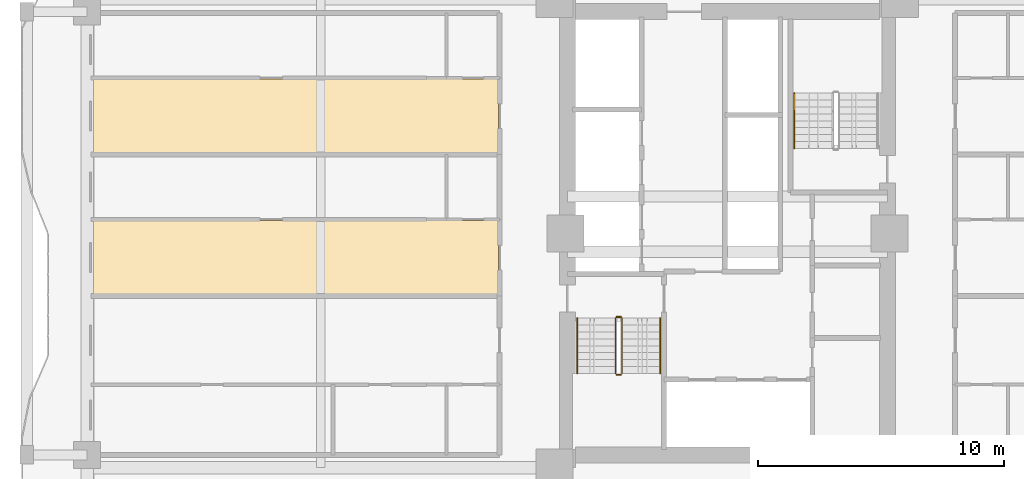
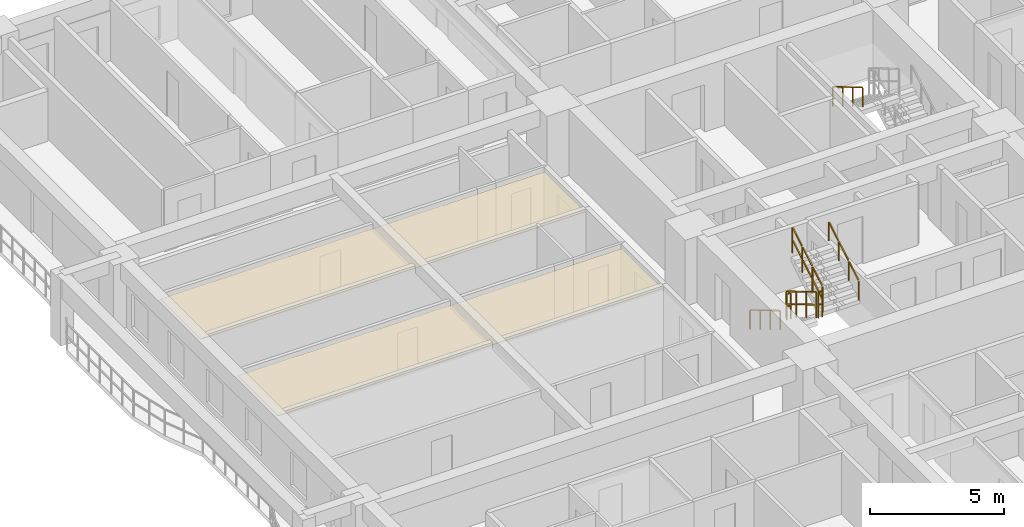
# One storey, part 13 of 16: 7 railings, 2 coverings.
"""IFC4 building model written with IfcOpenShell, lengths in metres."""

from ifc_helpers import new_model, si_unit, direction, frame, origin, origin_2d, place, context, subcontext, project, spatial, polyline, rectangle, outline, extrude, material, layer, layer_set, type_object, element, save


model = new_model("IFC4")

# Units and contexts
model_context = context("Model", 3, precision=1e-05, world=origin(), true_north=direction((0.0, 1.0)))
body_context = subcontext(model_context, "Body", "Model", "MODEL_VIEW")
ifc_project = project(units=[si_unit("LENGTHUNIT", "METRE"), si_unit("AREAUNIT", "SQUARE_METRE"), si_unit("VOLUMEUNIT", "CUBIC_METRE"), si_unit("PLANEANGLEUNIT", "RADIAN"), si_unit("MASSUNIT", "GRAM", prefix="KILO")], contexts=[model_context])

# Site, building, storey
site_placement = place(None, origin())
site = spatial("IfcSite", under=ifc_project, at=site_placement, CompositionType="ELEMENT")
building_placement = place(site_placement, origin())
building = spatial("IfcBuilding", under=site, at=building_placement, Name="Saelheon Loggia Tower", CompositionType="ELEMENT")
storey_placement = place(building_placement, frame((0.0, 0.0, 55.39990234375)))
storey = spatial("IfcBuildingStorey", under=building, at=storey_placement, Name="L17", CompositionType="ELEMENT", Elevation=55.39990234375)

# Coverings
ifc_material_1 = material(Name="Mineral-Fibre Acoustic Ceiling Board", Category="gypsum")
ifc_layer = layer(ifc_material_1, 0.02490234375)
ifc_layer_set = layer_set([ifc_layer], Name="Mineral-Fibre Acoustic Ceiling Board")
covering_type = type_object("IfcCoveringType", Name="Cov_Ceiling_Acoustic", PredefinedType="CEILING", material=ifc_layer_set)
covering_1_placement = place(storey_placement, frame((0.0, 0.0, 2.53515625)))
element("IfcCovering", 1, at=covering_1_placement, inside=storey, type_object=covering_type, Name="L17 Acoustic Suspended Ceiling", PredefinedType="CEILING", context=body_context, shape_type="SweptSolid", body=[
    extrude(outline(polyline([(12.199951171875, 24.511962890625), (28.699951171875, 24.511962890625), (28.699951171875, 27.513916015625), (12.199951171875, 27.513916015625), (12.199951171875, 24.511962890625)])), origin(), (0.0, 0.0, 1.0), 0.02490234375),
])
covering_2_placement = place(storey_placement, frame((0.0, 0.0, 2.53515625)))
element("IfcCovering", 2, at=covering_2_placement, inside=storey, type_object=covering_type, Name="L17 Acoustic Suspended Ceiling", PredefinedType="CEILING", context=body_context, shape_type="SweptSolid", body=[
    extrude(outline(polyline([(12.199951171875, 30.256103515625), (28.699951171875, 30.256103515625), (28.699951171875, 33.2578125), (12.199951171875, 33.2578125), (12.199951171875, 30.256103515625)])), origin(), (0.0, 0.0, 1.0), 0.02490234375),
])

# Railings
ifc_material_2 = material(Name="Galvanised Steel S275 Stairwell Guardrail", Category="steel")
railing_type_1 = type_object("IfcRailingType", Name="Guard_StairWell_RL_STG", PredefinedType="GUARDRAIL", material=ifc_material_2)
railing_1_placement = place(storey_placement, frame((33.4599609375, 23.550048828125, 0.166748046875)))
element("IfcRailing", 3, at=railing_1_placement, inside=storey, type_object=railing_type_1, Name="L17 ST1 stair guard 1", PredefinedType="GUARDRAIL", context=body_context, shape_type="SweptSolid", body=[
    extrude(rectangle(XDim=0.048095703125, YDim=0.048095703125, at=origin_2d()), frame((0.0, -0.028564453125, 1.19287109375), z_axis=(0.0, -0.859305625298, 0.511462454469), x_axis=(1.0, 0.0, 0.0)), (0.0, 0.0, 1.0), 0.802490234375),
    extrude(rectangle(XDim=0.048095703125, YDim=0.048095703125, at=origin_2d()), frame((0.0, -0.028564453125, 0.616943359375), z_axis=(0.0, -0.859305625298, 0.511462454469), x_axis=(1.0, 0.0, 0.0)), (0.0, 0.0, 1.0), 0.802490234375),
    extrude(rectangle(XDim=0.048095703125, YDim=0.048095703125, at=origin_2d()), frame((0.0, -0.775146484375, 1.63720703125), z_axis=(0.0, -0.859305625298, 0.511462454469), x_axis=(1.0, 0.0, 0.0)), (0.0, 0.0, 1.0), 0.802490234375),
    extrude(rectangle(XDim=0.048095703125, YDim=0.048095703125, at=origin_2d()), frame((0.0, -0.775146484375, 1.061279296875), z_axis=(0.0, -0.859305625298, 0.511462454469), x_axis=(1.0, 0.0, 0.0)), (0.0, 0.0, 1.0), 0.802490234375),
    extrude(rectangle(XDim=0.048095703125, YDim=0.048095703125, at=origin_2d()), frame((0.0, -1.52197265625, 2.081787109375), z_axis=(0.0, -0.859305625298, 0.511462454469), x_axis=(1.0, 0.0, 0.0)), (0.0, 0.0, 1.0), 0.802490234375),
    extrude(rectangle(XDim=0.048095703125, YDim=0.048095703125, at=origin_2d()), frame((0.0, -1.52197265625, 1.505859375), z_axis=(0.0, -0.859305625298, 0.511462454469), x_axis=(1.0, 0.0, 0.0)), (0.0, 0.0, 1.0), 0.802490234375),
    extrude(rectangle(XDim=0.0419921875, YDim=0.0419921875, at=origin_2d()), origin(), (0.0, 0.0, 1.0), 1.14794921875),
    extrude(rectangle(XDim=0.0419921875, YDim=0.0419921875, at=origin_2d()), frame((0.0, -0.74658203125, 0.4443359375)), (0.0, 0.0, 1.0), 1.14794921875),
    extrude(rectangle(XDim=0.0419921875, YDim=0.0419921875, at=origin_2d()), frame((0.0, -1.493408203125, 0.888916015625)), (0.0, 0.0, 1.0), 1.14794921875),
    extrude(rectangle(XDim=0.0419921875, YDim=0.0419921875, at=origin_2d()), frame((0.0, -2.239990234375, 1.333251953125)), (0.0, 0.0, 1.0), 1.14794921875),
])
railing_2_placement = place(storey_placement, frame((33.510009765625, 21.260009765625, 1.5)))
element("IfcRailing", 4, at=railing_2_placement, inside=storey, type_object=railing_type_1, Name="L17 ST1 stair guard 2", PredefinedType="GUARDRAIL", context=body_context, shape_type="SweptSolid", body=[
    extrude(rectangle(XDim=0.048095703125, YDim=0.048095703125, at=origin_2d()), frame((0.033203125, 0.0, 1.17578125), z_axis=(1.0, 0.0, 0.0), x_axis=(0.0, 1.0, 0.0)), (0.0, 0.0, 1.0), 0.093505859375),
    extrude(rectangle(XDim=0.048095703125, YDim=0.048095703125, at=origin_2d()), frame((0.033203125, 0.0, 0.60009765625), z_axis=(1.0, 0.0, 0.0), x_axis=(0.0, 1.0, 0.0)), (0.0, 0.0, 1.0), 0.093505859375),
    extrude(rectangle(XDim=0.0419921875, YDim=0.0419921875, at=origin_2d()), origin(), (0.0, 0.0, 1.0), 1.14794921875),
    extrude(rectangle(XDim=0.0419921875, YDim=0.0419921875, at=origin_2d()), frame((0.159912109375, 0.0, 0.0)), (0.0, 0.0, 1.0), 1.14794921875),
])
railing_3_placement = place(storey_placement, frame((33.719970703125, 21.31005859375, 1.666748046875)))
element("IfcRailing", 5, at=railing_3_placement, inside=storey, type_object=railing_type_1, Name="L17 ST1 stair guard 3", PredefinedType="GUARDRAIL", context=body_context, shape_type="SweptSolid", body=[
    extrude(rectangle(XDim=0.048095703125, YDim=0.048095703125, at=origin_2d()), frame((0.0, 0.028564453125, 1.19287109375), z_axis=(0.0, 0.859305625298, 0.511462454469), x_axis=(-1.0, 0.0, 0.0)), (0.0, 0.0, 1.0), 0.802490234375),
    extrude(rectangle(XDim=0.048095703125, YDim=0.048095703125, at=origin_2d()), frame((0.0, 0.028564453125, 0.616943359375), z_axis=(0.0, 0.859305625298, 0.511462454469), x_axis=(-1.0, 0.0, 0.0)), (0.0, 0.0, 1.0), 0.802490234375),
    extrude(rectangle(XDim=0.048095703125, YDim=0.048095703125, at=origin_2d()), frame((0.0, 0.775146484375, 1.63720703125), z_axis=(0.0, 0.859305625298, 0.511462454469), x_axis=(-1.0, 0.0, 0.0)), (0.0, 0.0, 1.0), 0.802490234375),
    extrude(rectangle(XDim=0.048095703125, YDim=0.048095703125, at=origin_2d()), frame((0.0, 0.775146484375, 1.061279296875), z_axis=(0.0, 0.859305625298, 0.511462454469), x_axis=(-1.0, 0.0, 0.0)), (0.0, 0.0, 1.0), 0.802490234375),
    extrude(rectangle(XDim=0.048095703125, YDim=0.048095703125, at=origin_2d()), frame((0.0, 1.52197265625, 2.081787109375), z_axis=(0.0, 0.859305625298, 0.511462454469), x_axis=(-1.0, 0.0, 0.0)), (0.0, 0.0, 1.0), 0.802490234375),
    extrude(rectangle(XDim=0.048095703125, YDim=0.048095703125, at=origin_2d()), frame((0.0, 1.52197265625, 1.505859375), z_axis=(0.0, 0.859305625298, 0.511462454469), x_axis=(-1.0, 0.0, 0.0)), (0.0, 0.0, 1.0), 0.802490234375),
    extrude(rectangle(XDim=0.0419921875, YDim=0.0419921875, at=origin_2d()), origin(), (0.0, 0.0, 1.0), 1.14794921875),
    extrude(rectangle(XDim=0.0419921875, YDim=0.0419921875, at=origin_2d()), frame((0.0, 0.74658203125, 0.4443359375)), (0.0, 0.0, 1.0), 1.14794921875),
    extrude(rectangle(XDim=0.0419921875, YDim=0.0419921875, at=origin_2d()), frame((0.0, 1.493408203125, 0.888916015625)), (0.0, 0.0, 1.0), 1.14794921875),
    extrude(rectangle(XDim=0.0419921875, YDim=0.0419921875, at=origin_2d()), frame((0.0, 2.239990234375, 1.333251953125)), (0.0, 0.0, 1.0), 1.14794921875),
])
railing_4_placement = place(storey_placement, frame((33.510009765625, 23.60009765625, 0.0)))
element("IfcRailing", 6, at=railing_4_placement, inside=storey, type_object=railing_type_1, Name="L17 ST1 stair guard 4", PredefinedType="GUARDRAIL", context=body_context, shape_type="SweptSolid", body=[
    extrude(rectangle(XDim=0.048095703125, YDim=0.048095703125, at=origin_2d()), frame((0.033203125, 0.0, 1.17578125), z_axis=(1.0, 0.0, 0.0), x_axis=(0.0, 1.0, 0.0)), (0.0, 0.0, 1.0), 0.093505859375),
    extrude(rectangle(XDim=0.048095703125, YDim=0.048095703125, at=origin_2d()), frame((0.033203125, 0.0, 0.60009765625), z_axis=(1.0, 0.0, 0.0), x_axis=(0.0, 1.0, 0.0)), (0.0, 0.0, 1.0), 0.093505859375),
    extrude(rectangle(XDim=0.0419921875, YDim=0.0419921875, at=origin_2d()), origin(), (0.0, 0.0, 1.0), 1.14794921875),
    extrude(rectangle(XDim=0.0419921875, YDim=0.0419921875, at=origin_2d()), frame((0.159912109375, 0.0, 0.0)), (0.0, 0.0, 1.0), 1.14794921875),
])
ifc_material_3 = material(Name="Stainless Steel 304 Tubular Handrail", Category="steel")
railing_type_2 = type_object("IfcRailingType", Name="Handrail_Stair_RL_HR1", PredefinedType="HANDRAIL", material=ifc_material_3)
railing_5_placement = place(storey_placement, frame((31.89990234375, 23.550048828125, 0.166748046875)))
element("IfcRailing", 7, at=railing_5_placement, inside=storey, type_object=railing_type_2, Name="L17 ST1 stair handrail 1", PredefinedType="HANDRAIL", context=body_context, shape_type="SweptSolid", body=[
    extrude(rectangle(XDim=0.048095703125, YDim=0.048095703125, at=origin_2d()), frame((0.0, -0.028564453125, 0.892822265625), z_axis=(0.0, -0.859305625298, 0.511462454469), x_axis=(1.0, 0.0, 0.0)), (0.0, 0.0, 1.0), 0.802490234375),
    extrude(rectangle(XDim=0.048095703125, YDim=0.048095703125, at=origin_2d()), frame((0.0, -0.775146484375, 1.337158203125), z_axis=(0.0, -0.859305625298, 0.511462454469), x_axis=(1.0, 0.0, 0.0)), (0.0, 0.0, 1.0), 0.802490234375),
    extrude(rectangle(XDim=0.048095703125, YDim=0.048095703125, at=origin_2d()), frame((0.0, -1.52197265625, 1.78173828125), z_axis=(0.0, -0.859305625298, 0.511462454469), x_axis=(1.0, 0.0, 0.0)), (0.0, 0.0, 1.0), 0.802490234375),
    extrude(rectangle(XDim=0.0419921875, YDim=0.0419921875, at=origin_2d()), origin(), (0.0, 0.0, 1.0), 0.847900390625),
    extrude(rectangle(XDim=0.0419921875, YDim=0.0419921875, at=origin_2d()), frame((0.0, -0.74658203125, 0.4443359375)), (0.0, 0.0, 1.0), 0.847900390625),
    extrude(rectangle(XDim=0.0419921875, YDim=0.0419921875, at=origin_2d()), frame((0.0, -1.493408203125, 0.888916015625)), (0.0, 0.0, 1.0), 0.847900390625),
    extrude(rectangle(XDim=0.0419921875, YDim=0.0419921875, at=origin_2d()), frame((0.0, -2.239990234375, 1.333251953125)), (0.0, 0.0, 1.0), 0.847900390625),
])
railing_6_placement = place(storey_placement, frame((35.280029296875, 21.31005859375, 1.666748046875)))
element("IfcRailing", 8, at=railing_6_placement, inside=storey, type_object=railing_type_2, Name="L17 ST1 stair handrail 2", PredefinedType="HANDRAIL", context=body_context, shape_type="SweptSolid", body=[
    extrude(rectangle(XDim=0.048095703125, YDim=0.048095703125, at=origin_2d()), frame((0.0, 0.028564453125, 0.892822265625), z_axis=(0.0, 0.859305625298, 0.511462454469), x_axis=(-1.0, 0.0, 0.0)), (0.0, 0.0, 1.0), 0.802490234375),
    extrude(rectangle(XDim=0.048095703125, YDim=0.048095703125, at=origin_2d()), frame((0.0, 0.775146484375, 1.337158203125), z_axis=(0.0, 0.859305625298, 0.511462454469), x_axis=(-1.0, 0.0, 0.0)), (0.0, 0.0, 1.0), 0.802490234375),
    extrude(rectangle(XDim=0.048095703125, YDim=0.048095703125, at=origin_2d()), frame((0.0, 1.52197265625, 1.78173828125), z_axis=(0.0, 0.859305625298, 0.511462454469), x_axis=(-1.0, 0.0, 0.0)), (0.0, 0.0, 1.0), 0.802490234375),
    extrude(rectangle(XDim=0.0419921875, YDim=0.0419921875, at=origin_2d()), origin(), (0.0, 0.0, 1.0), 0.847900390625),
    extrude(rectangle(XDim=0.0419921875, YDim=0.0419921875, at=origin_2d()), frame((0.0, 0.74658203125, 0.4443359375)), (0.0, 0.0, 1.0), 0.847900390625),
    extrude(rectangle(XDim=0.0419921875, YDim=0.0419921875, at=origin_2d()), frame((0.0, 1.493408203125, 0.888916015625)), (0.0, 0.0, 1.0), 0.847900390625),
    extrude(rectangle(XDim=0.0419921875, YDim=0.0419921875, at=origin_2d()), frame((0.0, 2.239990234375, 1.333251953125)), (0.0, 0.0, 1.0), 0.847900390625),
])
railing_7_placement = place(storey_placement, frame((40.719970703125, 32.68994140625, 1.666748046875)))
element("IfcRailing", 9, at=railing_7_placement, inside=storey, type_object=railing_type_2, Name="L17 ST2 stair handrail 2", PredefinedType="HANDRAIL", context=body_context, shape_type="SweptSolid", body=[
    extrude(rectangle(XDim=0.048095703125, YDim=0.048095703125, at=origin_2d()), frame((0.0, -0.028564453125, 0.892822265625), z_axis=(0.0, -0.859305625298, 0.511462454469), x_axis=(1.0, 0.0, 0.0)), (0.0, 0.0, 1.0), 0.802490234375),
    extrude(rectangle(XDim=0.048095703125, YDim=0.048095703125, at=origin_2d()), frame((0.0, -0.775146484375, 1.337158203125), z_axis=(0.0, -0.859305625298, 0.511462454469), x_axis=(1.0, 0.0, 0.0)), (0.0, 0.0, 1.0), 0.802490234375),
    extrude(rectangle(XDim=0.048095703125, YDim=0.048095703125, at=origin_2d()), frame((0.0, -1.52197265625, 1.78173828125), z_axis=(0.0, -0.859305625298, 0.511462454469), x_axis=(1.0, 0.0, 0.0)), (0.0, 0.0, 1.0), 0.802490234375),
    extrude(rectangle(XDim=0.0419921875, YDim=0.0419921875, at=origin_2d()), origin(), (0.0, 0.0, 1.0), 0.847900390625),
    extrude(rectangle(XDim=0.0419921875, YDim=0.0419921875, at=origin_2d()), frame((0.0, -0.74658203125, 0.4443359375)), (0.0, 0.0, 1.0), 0.847900390625),
    extrude(rectangle(XDim=0.0419921875, YDim=0.0419921875, at=origin_2d()), frame((0.0, -1.493408203125, 0.888916015625)), (0.0, 0.0, 1.0), 0.847900390625),
    extrude(rectangle(XDim=0.0419921875, YDim=0.0419921875, at=origin_2d()), frame((0.0, -2.239990234375, 1.333251953125)), (0.0, 0.0, 1.0), 0.847900390625),
])

save(model, "model.ifc")
